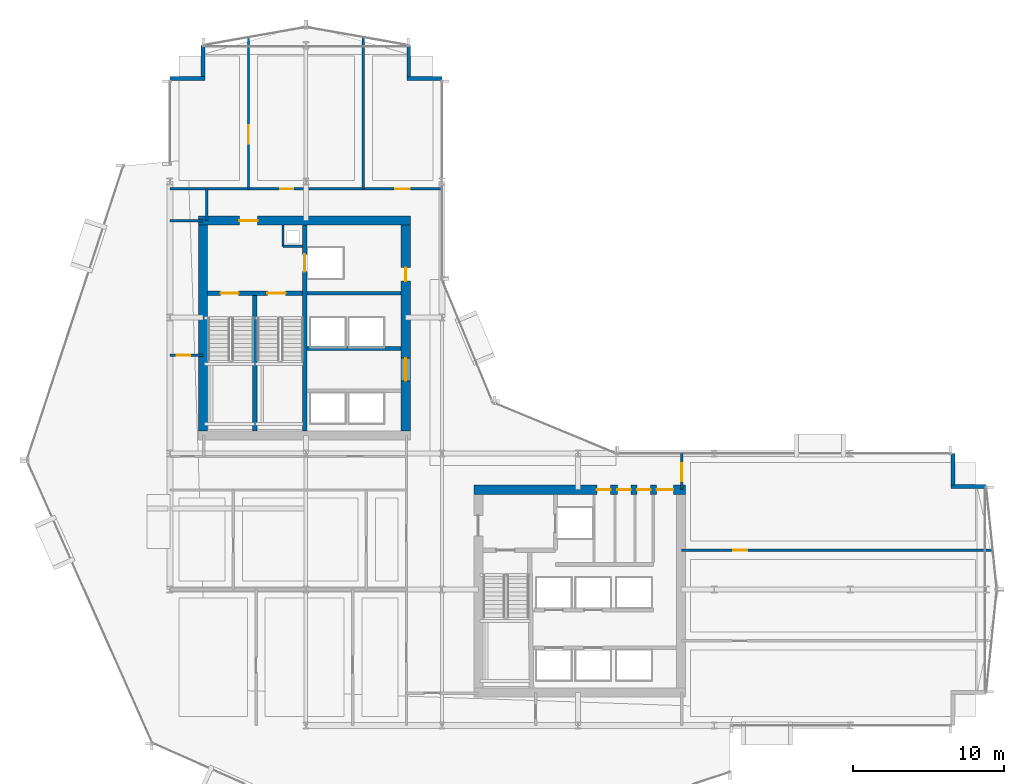
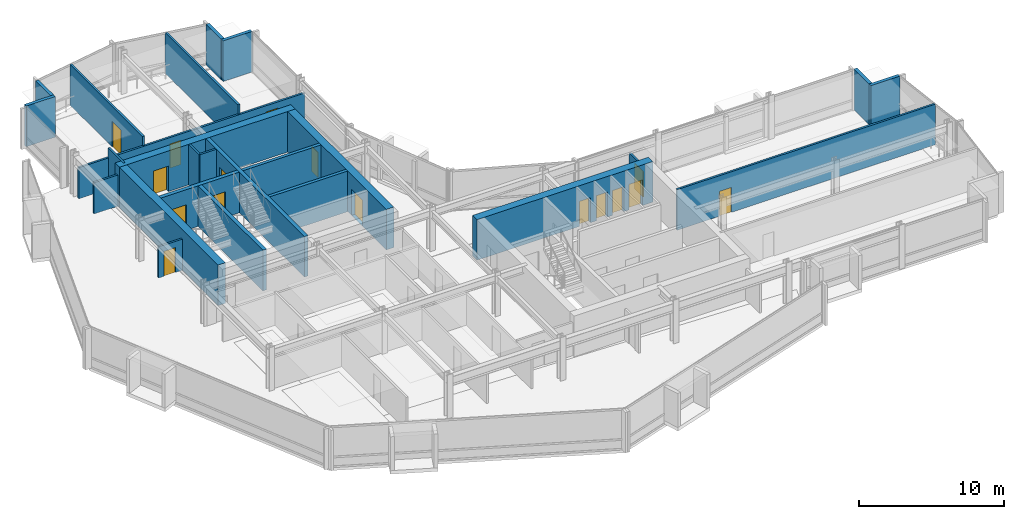
# One storey, part 28 of 34: 25 walls, 16 doors, 16 openings.
"""IFC4 building model written with IfcOpenShell, lengths in metres."""

from ifc_helpers import new_model, si_unit, direction, frame, frame_2d, origin, place, context, subcontext, project, spatial, rectangle, extrude, material, layer, layer_set, type_object, element, fill, save


model = new_model("IFC4")

# Units and contexts
model_context = context("Model", 3, precision=1e-05, world=origin(), true_north=direction((0.0, 1.0)))
body_context = subcontext(model_context, "Body", "Model", "MODEL_VIEW")
ifc_project = project(units=[si_unit("LENGTHUNIT", "METRE"), si_unit("AREAUNIT", "SQUARE_METRE"), si_unit("VOLUMEUNIT", "CUBIC_METRE"), si_unit("PLANEANGLEUNIT", "RADIAN"), si_unit("MASSUNIT", "GRAM", prefix="KILO")], contexts=[model_context])

# Site, building, storey
site_placement = place(None, origin())
site = spatial("IfcSite", under=ifc_project, at=site_placement, CompositionType="ELEMENT")
building_placement = place(site_placement, origin())
building = spatial("IfcBuilding", under=site, at=building_placement, Name="Solvaryn Broadcast Tower", CompositionType="ELEMENT")
storey_placement = place(building_placement, frame((0.0, 0.0, 73.0)))
storey = spatial("IfcBuildingStorey", under=building, at=storey_placement, Name="L17", CompositionType="ELEMENT", Elevation=73.0)

# Wall, opening, door
ifc_material_1 = material(Name="Concrete f'c 70 MPa", Category="concrete")
ifc_layer_1 = layer(ifc_material_1, 0.60009765625)
ifc_layer_set_1 = layer_set([ifc_layer_1], Name="CW-SHEAR-600")
wall_type_1 = type_object("IfcWallType", Name="CW-SHEAR-600", PredefinedType="SHEAR", material=ifc_layer_set_1)
wall_1_placement = place(storey_placement, frame((24.89990234375, 42.39990234375, 0.0), z_axis=(0.0, 0.0, 1.0), x_axis=(-1.0, 0.0, 0.0)))
wall_1 = element("IfcWall", 1, at=wall_1_placement, inside=storey, type_object=wall_type_1, Name="L17 West Core North Shear Wall", PredefinedType="SHEAR", context=body_context, shape_type="SweptSolid", body=[
    extrude(rectangle(XDim=14.0, YDim=0.60009765625, at=frame_2d((7.0, 0.0))), origin(), (0.0, 0.0, 1.0), 3.419921875),
])
opening_1_placement = place(wall_1_placement, frame((10.10009765625, 0.0, 0.0)))
opening_1 = element("IfcOpeningElement", 2, at=opening_1_placement, cuts=wall_1, Name="Opening FD90A", PredefinedType="OPENING", context=body_context, shape_type="SweptSolid", body=[
    extrude(rectangle(XDim=1.199951171875, YDim=2.14990234375, at=frame_2d((0.60009765625, 1.074951171875))), frame((0.0, 0.31005859375, 0.0), z_axis=(0.0, -1.0, 0.0), x_axis=(1.0, 0.0, 0.0)), (0.0, 0.0, 1.0), 0.6201171875),
])
ifc_material_2 = material(Name="Flush Acoustic Steel and Timber Door Assembly", Category="steel")
door_type_1 = type_object("IfcDoorType", Name="FD90-STAIR-1200X2150", OperationType="NOTDEFINED", PredefinedType="DOOR", material=ifc_material_2)
door_1_placement = place(opening_1_placement, origin())
door_1 = element("IfcDoor", 3, at=door_1_placement, inside=storey, type_object=door_type_1, Name="L17 West FSAE Lobby Corridor Door", OperationType="SINGLE_SWING_LEFT", OverallHeight=2.14990234375, OverallWidth=1.199951171875, PredefinedType="DOOR", context=body_context, shape_type="SweptSolid", body=[
    extrude(rectangle(XDim=1.199951171875, YDim=2.14990234375, at=frame_2d((0.60009765625, 1.074951171875))), frame((0.0, 0.02490234375, 0.0), z_axis=(0.0, -1.0, 0.0), x_axis=(1.0, 0.0, 0.0)), (0.0, 0.0, 1.0), 0.050048828125),
])
fill(opening_1, door_1)

# Wall
wall_2_placement = place(storey_placement, frame((11.199951171875, 42.10009765625, 0.0), z_axis=(0.0, 0.0, 1.0), x_axis=(0.0, -1.0, 0.0)))
element("IfcWall", 4, at=wall_2_placement, inside=storey, type_object=wall_type_1, Name="L17 West Core West Shear Wall", PredefinedType="SHEAR", context=body_context, shape_type="SweptSolid", body=[
    extrude(rectangle(XDim=13.60009765625, YDim=0.60009765625, at=frame_2d((6.800048828125, 0.0))), origin(), (0.0, 0.0, 1.0), 3.419921875),
])

# Wall, openings, doors
wall_3_placement = place(storey_placement, frame((24.60009765625, 28.5, 0.0), z_axis=(0.0, 0.0, 1.0), x_axis=(0.0, 1.0, 0.0)))
wall_3 = element("IfcWall", 5, at=wall_3_placement, inside=storey, type_object=wall_type_1, Name="L17 West Core East Shear Wall", PredefinedType="SHEAR", context=body_context, shape_type="SweptSolid", body=[
    extrude(rectangle(XDim=13.60009765625, YDim=0.60009765625, at=frame_2d((6.800048828125, 0.0))), origin(), (0.0, 0.0, 1.0), 3.419921875),
])
opening_2_placement = place(wall_3_placement, frame((3.300048828125, 0.0, 0.0)))
opening_2 = element("IfcOpeningElement", 6, at=opening_2_placement, cuts=wall_3, Name="Opening FD60A", PredefinedType="OPENING", context=body_context, shape_type="SweptSolid", body=[
    extrude(rectangle(XDim=1.5, YDim=2.199951171875, at=frame_2d((0.75, 1.10009765625))), frame((0.0, 0.31005859375, 0.0), z_axis=(0.0, -1.0, 0.0), x_axis=(1.0, 0.0, 0.0)), (0.0, 0.0, 1.0), 0.6201171875),
])
opening_3_placement = place(wall_3_placement, frame((9.89990234375, 0.0, 0.0)))
opening_3 = element("IfcOpeningElement", 7, at=opening_3_placement, cuts=wall_3, Name="Opening FD60C", PredefinedType="OPENING", context=body_context, shape_type="SweptSolid", body=[
    extrude(rectangle(XDim=0.89990234375, YDim=2.10009765625, at=frame_2d((0.449951171875, 1.050048828125))), frame((0.0, 0.31005859375, 0.0), z_axis=(0.0, -1.0, 0.0), x_axis=(1.0, 0.0, 0.0)), (0.0, 0.0, 1.0), 0.6201171875),
])
ifc_material_3 = material(Name="Flush Acoustic Steel and Timber Door Assembly", Category="steel")
door_type_2 = type_object("IfcDoorType", Name="FD60-CORR-1500X2200", OperationType="NOTDEFINED", PredefinedType="DOOR", material=ifc_material_3)
door_2_placement = place(opening_2_placement, origin())
door_2 = element("IfcDoor", 8, at=door_2_placement, inside=storey, type_object=door_type_2, Name="L17 West Elevator Lobby Corridor Door", OperationType="DOUBLE_DOOR_SINGLE_SWING", OverallHeight=2.199951171875, OverallWidth=1.5, PredefinedType="DOOR", context=body_context, shape_type="SweptSolid", body=[
    extrude(rectangle(XDim=1.5, YDim=2.199951171875, at=frame_2d((0.75, 1.10009765625))), frame((0.0, 0.02490234375, 0.0), z_axis=(0.0, -1.0, 0.0), x_axis=(1.0, 0.0, 0.0)), (0.0, 0.0, 1.0), 0.050048828125),
])
fill(opening_2, door_2)
ifc_material_4 = material(Name="Flush Acoustic Steel and Timber Door Assembly", Category="steel")
door_type_3 = type_object("IfcDoorType", Name="FD60-SERV-900X2100", OperationType="NOTDEFINED", PredefinedType="DOOR", material=ifc_material_4)
door_3_placement = place(opening_3_placement, origin())
door_3 = element("IfcDoor", 9, at=door_3_placement, inside=storey, type_object=door_type_3, Name="L17 West Core Service Door 1", OperationType="SINGLE_SWING_LEFT", OverallHeight=2.10009765625, OverallWidth=0.89990234375, PredefinedType="DOOR", context=body_context, shape_type="SweptSolid", body=[
    extrude(rectangle(XDim=0.89990234375, YDim=2.10009765625, at=frame_2d((0.449951171875, 1.050048828125))), frame((0.0, 0.02490234375, 0.0), z_axis=(0.0, -1.0, 0.0), x_axis=(1.0, 0.0, 0.0)), (0.0, 0.0, 1.0), 0.050048828125),
])
fill(opening_3, door_3)

wall_4_placement = place(storey_placement, frame((43.10009765625, 24.60009765625, 0.0), z_axis=(0.0, 0.0, 1.0), x_axis=(-1.0, 0.0, 0.0)))
wall_4 = element("IfcWall", 10, at=wall_4_placement, inside=storey, type_object=wall_type_1, Name="L17 East Core North Shear Wall", PredefinedType="SHEAR", context=body_context, shape_type="SweptSolid", body=[
    extrude(rectangle(XDim=14.0, YDim=0.60009765625, at=frame_2d((7.0, 0.0))), origin(), (0.0, 0.0, 1.0), 3.419921875),
])
opening_4_placement = place(wall_4_placement, frame((0.800048828125, 0.0, 0.0)))
opening_4 = element("IfcOpeningElement", 11, at=opening_4_placement, cuts=wall_4, Name="Opening FD90C", PredefinedType="OPENING", context=body_context, shape_type="SweptSolid", body=[
    extrude(rectangle(XDim=1.10009765625, YDim=2.14990234375, at=frame_2d((0.550048828125, 1.074951171875))), frame((0.0, 0.31005859375, 0.0), z_axis=(0.0, -1.0, 0.0), x_axis=(1.0, 0.0, 0.0)), (0.0, 0.0, 1.0), 0.6201171875),
])
opening_5_placement = place(wall_4_placement, frame((2.300048828125, 0.0, 0.0)))
opening_5 = element("IfcOpeningElement", 12, at=opening_5_placement, cuts=wall_4, Name="Opening FD60C", PredefinedType="OPENING", context=body_context, shape_type="SweptSolid", body=[
    extrude(rectangle(XDim=0.89990234375, YDim=2.10009765625, at=frame_2d((0.449951171875, 1.050048828125))), frame((0.0, 0.31005859375, 0.0), z_axis=(0.0, -1.0, 0.0), x_axis=(1.0, 0.0, 0.0)), (0.0, 0.0, 1.0), 0.6201171875),
])
opening_6_placement = place(wall_4_placement, frame((3.60009765625, 0.0, 0.0)))
opening_6 = element("IfcOpeningElement", 13, at=opening_6_placement, cuts=wall_4, Name="Opening FD60C", PredefinedType="OPENING", context=body_context, shape_type="SweptSolid", body=[
    extrude(rectangle(XDim=0.89990234375, YDim=2.10009765625, at=frame_2d((0.449951171875, 1.050048828125))), frame((0.0, 0.31005859375, 0.0), z_axis=(0.0, -1.0, 0.0), x_axis=(1.0, 0.0, 0.0)), (0.0, 0.0, 1.0), 0.6201171875),
])
opening_7_placement = place(wall_4_placement, frame((4.949951171875, 0.0, 0.0)))
opening_7 = element("IfcOpeningElement", 14, at=opening_7_placement, cuts=wall_4, Name="Opening FD60C", PredefinedType="OPENING", context=body_context, shape_type="SweptSolid", body=[
    extrude(rectangle(XDim=0.89990234375, YDim=2.10009765625, at=frame_2d((0.449951171875, 1.050048828125))), frame((0.0, 0.31005859375, 0.0), z_axis=(0.0, -1.0, 0.0), x_axis=(1.0, 0.0, 0.0)), (0.0, 0.0, 1.0), 0.6201171875),
])
door_4_placement = place(opening_5_placement, origin())
door_4 = element("IfcDoor", 15, at=door_4_placement, inside=storey, type_object=door_type_3, Name="L17 Core Wellness Room Door", OperationType="SINGLE_SWING_RIGHT", OverallHeight=2.10009765625, OverallWidth=0.89990234375, PredefinedType="DOOR", context=body_context, shape_type="SweptSolid", body=[
    extrude(rectangle(XDim=0.89990234375, YDim=2.10009765625, at=frame_2d((0.449951171875, 1.050048828125))), frame((0.0, 0.02490234375, 0.0), z_axis=(0.0, -1.0, 0.0), x_axis=(1.0, 0.0, 0.0)), (0.0, 0.0, 1.0), 0.050048828125),
])
fill(opening_5, door_4)
door_5_placement = place(opening_6_placement, origin())
door_5 = element("IfcDoor", 16, at=door_5_placement, inside=storey, type_object=door_type_3, Name="L17 Staff Restroom Door", OperationType="SINGLE_SWING_LEFT", OverallHeight=2.10009765625, OverallWidth=0.89990234375, PredefinedType="DOOR", context=body_context, shape_type="SweptSolid", body=[
    extrude(rectangle(XDim=0.89990234375, YDim=2.10009765625, at=frame_2d((0.449951171875, 1.050048828125))), frame((0.0, 0.02490234375, 0.0), z_axis=(0.0, -1.0, 0.0), x_axis=(1.0, 0.0, 0.0)), (0.0, 0.0, 1.0), 0.050048828125),
])
fill(opening_6, door_5)
door_6_placement = place(opening_7_placement, origin())
door_6 = element("IfcDoor", 17, at=door_6_placement, inside=storey, type_object=door_type_3, Name="L17 Accessible WC Door", OperationType="SINGLE_SWING_RIGHT", OverallHeight=2.10009765625, OverallWidth=0.89990234375, PredefinedType="DOOR", context=body_context, shape_type="SweptSolid", body=[
    extrude(rectangle(XDim=0.89990234375, YDim=2.10009765625, at=frame_2d((0.449951171875, 1.050048828125))), frame((0.0, 0.02490234375, 0.0), z_axis=(0.0, -1.0, 0.0), x_axis=(1.0, 0.0, 0.0)), (0.0, 0.0, 1.0), 0.050048828125),
])
fill(opening_7, door_6)
ifc_material_5 = material(Name="Flush Acoustic Steel and Timber Door Assembly", Category="steel")
door_type_4 = type_object("IfcDoorType", Name="FD90-PLANT-1100X2150", OperationType="NOTDEFINED", PredefinedType="DOOR", material=ifc_material_5)
door_7_placement = place(opening_4_placement, origin())
door_7 = element("IfcDoor", 18, at=door_7_placement, inside=storey, type_object=door_type_4, Name="L17 East Core Lobby Corridor Door", OperationType="SINGLE_SWING_LEFT", OverallHeight=2.14990234375, OverallWidth=1.10009765625, PredefinedType="DOOR", context=body_context, shape_type="SweptSolid", body=[
    extrude(rectangle(XDim=1.10009765625, YDim=2.14990234375, at=frame_2d((0.550048828125, 1.074951171875))), frame((0.0, 0.02490234375, 0.0), z_axis=(0.0, -1.0, 0.0), x_axis=(1.0, 0.0, 0.0)), (0.0, 0.0, 1.0), 0.050048828125),
])
fill(opening_4, door_7)

# Walls
ifc_material_6 = material(Name="Concrete f'c 50 MPa", Category="concrete")
ifc_layer_2 = layer(ifc_material_6, 0.260009765625)
ifc_layer_set_2 = layer_set([ifc_layer_2], Name="EW-PIER-260")
wall_type_2 = type_object("IfcWallType", Name="EW-PIER-260", PredefinedType="SOLIDWALL", material=ifc_layer_set_2)
wall_5_placement = place(storey_placement, frame((9.0, 51.800048828125, 0.0), z_axis=(0.0, 0.0, 1.0), x_axis=(1.0, 0.0, 0.0)))
element("IfcWall", 19, at=wall_5_placement, inside=storey, type_object=wall_type_2, Name="L17 Notched Corner Pier Wall NNW1", PredefinedType="SOLIDWALL", context=body_context, shape_type="SweptSolid", body=[
    extrude(rectangle(XDim=2.320068359375, YDim=0.260009765625, at=frame_2d((1.16015625, 0.0))), origin(), (0.0, 0.0, 1.0), 3.419921875),
])
for number, where, z_axis, x_axis, name in (
    (20, (11.199951171875, 51.919921875, 0.0), (0.0, 0.0, 1.0), (0.0, 1.0, 0.0), "L17 Notched Corner Pier Wall NNW2"),
    (21, (24.800048828125, 54.0, 0.0), (0.0, 0.0, 1.0), (0.0, -1.0, 0.0), "L17 Notched Corner Pier Wall NNE1"),
):
    element("IfcWall", number, at=place(storey_placement, frame(where, z_axis=z_axis, x_axis=x_axis)), inside=storey, type_object=wall_type_2, Name=name, PredefinedType="SOLIDWALL", context=body_context, shape_type="SweptSolid", body=[
        extrude(rectangle(XDim=2.080078125, YDim=0.260009765625, at=frame_2d((1.0400390625, 0.0))), origin(), (0.0, 0.0, 1.0), 3.419921875),
    ])
for number, where, z_axis, x_axis, name in (
    (22, (24.679931640625, 51.800048828125, 0.0), (0.0, 0.0, 1.0), (1.0, 0.0, 0.0), "L17 Notched Corner Pier Wall NNE2"),
    (23, (63.0, 24.800048828125, 0.0), (0.0, 0.0, 1.0), (-1.0, 0.0, 0.0), "L17 Notched Corner Pier Wall NEE1"),
):
    element("IfcWall", number, at=place(storey_placement, frame(where, z_axis=z_axis, x_axis=x_axis)), inside=storey, type_object=wall_type_2, Name=name, PredefinedType="SOLIDWALL", context=body_context, shape_type="SweptSolid", body=[
        extrude(rectangle(XDim=2.320068359375, YDim=0.260009765625, at=frame_2d((1.16015625, 0.0))), origin(), (0.0, 0.0, 1.0), 3.419921875),
    ])
wall_6_placement = place(storey_placement, frame((60.800048828125, 24.919921875, 0.0), z_axis=(0.0, 0.0, 1.0), x_axis=(0.0, 1.0, 0.0)))
element("IfcWall", 24, at=wall_6_placement, inside=storey, type_object=wall_type_2, Name="L17 Notched Corner Pier Wall NEE2", PredefinedType="SOLIDWALL", context=body_context, shape_type="SweptSolid", body=[
    extrude(rectangle(XDim=2.080078125, YDim=0.260009765625, at=frame_2d((1.0400390625, 0.0))), origin(), (0.0, 0.0, 1.0), 3.419921875),
])
ifc_material_7 = material(Name="Metal-Stud Service Core Partition")
ifc_layer_3 = layer(ifc_material_7, 0.14990234375)
ifc_layer_set_3 = layer_set([ifc_layer_3], Name="IW-PART-150")
wall_type_3 = type_object("IfcWallType", Name="IW-PART-150", PredefinedType="PARTITIONING", material=ifc_layer_set_3)
wall_7_placement = place(storey_placement, frame((16.47998046875, 40.699951171875, 0.0), z_axis=(0.0, 0.0, 1.0), x_axis=(1.0, 0.0, 0.0)))
element("IfcWall", 25, at=wall_7_placement, inside=storey, type_object=wall_type_3, Name="L17 West Core Riser Shaft South Wall", PredefinedType="PARTITIONING", context=body_context, shape_type="SweptSolid", body=[
    extrude(rectangle(XDim=1.2900390625, YDim=0.14990234375, at=frame_2d((0.64501953125, 0.0))), origin(), (0.0, 0.0, 1.0), 3.419921875),
])
wall_8_placement = place(storey_placement, frame((16.47998046875, 40.699951171875, 0.0), z_axis=(0.0, 0.0, 1.0), x_axis=(0.0, 1.0, 0.0)))
element("IfcWall", 26, at=wall_8_placement, inside=storey, type_object=wall_type_3, Name="L17 West Core Riser Shaft West Wall", PredefinedType="PARTITIONING", context=body_context, shape_type="SweptSolid", body=[
    extrude(rectangle(XDim=1.400146484375, YDim=0.14990234375, at=frame_2d((0.7001953125, 0.0))), origin(), (0.0, 0.0, 1.0), 3.419921875),
])

# Wall, opening, door
wall_9_placement = place(storey_placement, frame((9.0, 33.5, 0.0), z_axis=(0.0, 0.0, 1.0), x_axis=(1.0, 0.0, 0.0)))
wall_9 = element("IfcWall", 27, at=wall_9_placement, inside=storey, type_object=wall_type_3, Name="L17 Interior Partition IW-L17-WM-M", PredefinedType="PARTITIONING", context=body_context, shape_type="SweptSolid", body=[
    extrude(rectangle(XDim=2.199951171875, YDim=0.14990234375, at=frame_2d((1.10009765625, 0.0))), origin(), (0.0, 0.0, 1.0), 2.626953125),
])
opening_8_placement = place(wall_9_placement, frame((0.449951171875, 0.0, 0.0)))
opening_8 = element("IfcOpeningElement", 28, at=opening_8_placement, cuts=wall_9, Name="Opening FD60C", PredefinedType="OPENING", context=body_context, shape_type="SweptSolid", body=[
    extrude(rectangle(XDim=0.89990234375, YDim=2.10009765625, at=frame_2d((0.449951171875, 1.050048828125))), frame((0.0, 0.0849609375, 0.0), z_axis=(0.0, -1.0, 0.0), x_axis=(1.0, 0.0, 0.0)), (0.0, 0.0, 1.0), 0.169921875),
])
door_8_placement = place(opening_8_placement, origin())
door_8 = element("IfcDoor", 29, at=door_8_placement, inside=storey, type_object=door_type_3, Name="L17 Door DR-L17-WM1", OperationType="SINGLE_SWING_RIGHT", OverallHeight=2.10009765625, OverallWidth=0.89990234375, PredefinedType="DOOR", context=body_context, shape_type="SweptSolid", body=[
    extrude(rectangle(XDim=0.89990234375, YDim=2.10009765625, at=frame_2d((0.449951171875, 1.050048828125))), frame((0.0, 0.02490234375, 0.0), z_axis=(0.0, -1.0, 0.0), x_axis=(1.0, 0.0, 0.0)), (0.0, 0.0, 1.0), 0.050048828125),
])
fill(opening_8, door_8)

# Walls
ifc_material_8 = material(Name="Metal-Stud Gypsum Office Partition")
ifc_layer_4 = layer(ifc_material_8, 0.159912109375)
ifc_layer_set_4 = layer_set([ifc_layer_4], Name="IW-PART-160")
wall_type_4 = type_object("IfcWallType", Name="IW-PART-160", PredefinedType="PARTITIONING", material=ifc_layer_set_4)
wall_10_placement = place(storey_placement, frame((9.0, 42.39990234375, 0.0), z_axis=(0.0, 0.0, 1.0), x_axis=(1.0, 0.0, 0.0)))
element("IfcWall", 30, at=wall_10_placement, inside=storey, type_object=wall_type_4, Name="L17 Interior Partition IW-L17-WM-N", PredefinedType="PARTITIONING", context=body_context, shape_type="SweptSolid", body=[
    extrude(rectangle(XDim=2.199951171875, YDim=0.159912109375, at=frame_2d((1.10009765625, 0.0))), origin(), (0.0, 0.0, 1.0), 2.626953125),
])
wall_11_placement = place(storey_placement, frame((11.449951171875, 42.39990234375, 0.0), z_axis=(0.0, 0.0, 1.0), x_axis=(0.0, 1.0, 0.0)))
element("IfcWall", 31, at=wall_11_placement, inside=storey, type_object=wall_type_4, Name="L17 Interior Partition IW-L17-WM-E", PredefinedType="PARTITIONING", context=body_context, shape_type="SweptSolid", body=[
    extrude(rectangle(XDim=2.10009765625, YDim=0.159912109375, at=frame_2d((1.050048828125, 0.0))), origin(), (0.0, 0.0, 1.0), 3.419921875),
])

# Wall, openings, doors
wall_12_placement = place(storey_placement, frame((9.0, 44.5, 0.0), z_axis=(0.0, 0.0, 1.0), x_axis=(1.0, 0.0, 0.0)))
wall_12 = element("IfcWall", 32, at=wall_12_placement, inside=storey, type_object=wall_type_4, Name="L17 Interior Partition IW-L17-NW-SB", PredefinedType="PARTITIONING", context=body_context, shape_type="SweptSolid", body=[
    extrude(rectangle(XDim=18.0, YDim=0.159912109375, at=frame_2d((9.0, 0.0))), origin(), (0.0, 0.0, 1.0), 2.626953125),
])
opening_9_placement = place(wall_12_placement, frame((7.300048828125, 0.0, 0.0)))
opening_9 = element("IfcOpeningElement", 33, at=opening_9_placement, cuts=wall_12, Name="Opening ID07", PredefinedType="OPENING", context=body_context, shape_type="SweptSolid", body=[
    extrude(rectangle(XDim=0.860107421875, YDim=2.050048828125, at=frame_2d((0.43017578125, 1.02490234375))), frame((0.0, 0.090087890625, 0.0), z_axis=(0.0, -1.0, 0.0), x_axis=(1.0, 0.0, 0.0)), (0.0, 0.0, 1.0), 0.179931640625),
])
opening_10_placement = place(wall_12_placement, frame((14.89990234375, 0.0, 0.0)))
opening_10 = element("IfcOpeningElement", 34, at=opening_10_placement, cuts=wall_12, Name="Opening ID01", PredefinedType="OPENING", context=body_context, shape_type="SweptSolid", body=[
    extrude(rectangle(XDim=0.949951171875, YDim=2.10009765625, at=frame_2d((0.47509765625, 1.050048828125))), frame((0.0, 0.090087890625, 0.0), z_axis=(0.0, -1.0, 0.0), x_axis=(1.0, 0.0, 0.0)), (0.0, 0.0, 1.0), 0.179931640625),
])
ifc_material_9 = material(Name="Flush Acoustic Steel and Timber Door Assembly", Category="steel")
door_type_5 = type_object("IfcDoorType", Name="ID-01-950X2100", OperationType="NOTDEFINED", PredefinedType="DOOR", material=ifc_material_9)
door_9_placement = place(opening_10_placement, origin())
door_9 = element("IfcDoor", 35, at=door_9_placement, inside=storey, type_object=door_type_5, Name="L17 Door DR-L17-NW-3", OperationType="SINGLE_SWING_RIGHT", OverallHeight=2.10009765625, OverallWidth=0.949951171875, PredefinedType="DOOR", context=body_context, shape_type="SweptSolid", body=[
    extrude(rectangle(XDim=0.949951171875, YDim=2.10009765625, at=frame_2d((0.47509765625, 1.050048828125))), frame((0.0, 0.02490234375, 0.0), z_axis=(0.0, -1.0, 0.0), x_axis=(1.0, 0.0, 0.0)), (0.0, 0.0, 1.0), 0.050048828125),
])
fill(opening_10, door_9)
ifc_material_10 = material(Name="Flush Acoustic Steel and Timber Door Assembly", Category="steel")
door_type_6 = type_object("IfcDoorType", Name="ID-07-860X2050", OperationType="NOTDEFINED", PredefinedType="DOOR", material=ifc_material_10)
door_10_placement = place(opening_9_placement, origin())
door_10 = element("IfcDoor", 36, at=door_10_placement, inside=storey, type_object=door_type_6, Name="L17 Door DR-L17-NW-2", OperationType="SINGLE_SWING_LEFT", OverallHeight=2.050048828125, OverallWidth=0.860107421875, PredefinedType="DOOR", context=body_context, shape_type="SweptSolid", body=[
    extrude(rectangle(XDim=0.860107421875, YDim=2.050048828125, at=frame_2d((0.43017578125, 1.02490234375))), frame((0.0, 0.02490234375, 0.0), z_axis=(0.0, -1.0, 0.0), x_axis=(1.0, 0.0, 0.0)), (0.0, 0.0, 1.0), 0.050048828125),
])
fill(opening_9, door_10)

# Wall, opening, door
wall_13_placement = place(storey_placement, frame((14.199951171875, 44.5, 0.0), z_axis=(0.0, 0.0, 1.0), x_axis=(0.0, 1.0, 0.0)))
wall_13 = element("IfcWall", 37, at=wall_13_placement, inside=storey, type_object=wall_type_4, Name="L17 Interior Partition IW-L17-NW-V1", PredefinedType="PARTITIONING", context=body_context, shape_type="SweptSolid", body=[
    extrude(rectangle(XDim=10.029052734375, YDim=0.159912109375, at=frame_2d((5.0146484375, 0.0))), origin(), (0.0, 0.0, 1.0), 3.419921875),
])
opening_11_placement = place(wall_13_placement, frame((3.0, 0.0, 0.0)))
opening_11 = element("IfcOpeningElement", 38, at=opening_11_placement, cuts=wall_13, Name="Opening ID04", PredefinedType="OPENING", context=body_context, shape_type="SweptSolid", body=[
    extrude(rectangle(XDim=1.199951171875, YDim=2.14990234375, at=frame_2d((0.60009765625, 1.074951171875))), frame((0.0, 0.090087890625, 0.0), z_axis=(0.0, -1.0, 0.0), x_axis=(1.0, 0.0, 0.0)), (0.0, 0.0, 1.0), 0.179931640625),
])
ifc_material_11 = material(Name="Flush Acoustic Steel and Timber Door Assembly", Category="steel")
door_type_7 = type_object("IfcDoorType", Name="ID-04-1200X2150", OperationType="NOTDEFINED", PredefinedType="DOOR", material=ifc_material_11)
door_11_placement = place(opening_11_placement, origin())
door_11 = element("IfcDoor", 39, at=door_11_placement, inside=storey, type_object=door_type_7, Name="L17 Door DR-L17-NW-C1", OperationType="SINGLE_SWING_RIGHT", OverallHeight=2.14990234375, OverallWidth=1.199951171875, PredefinedType="DOOR", context=body_context, shape_type="SweptSolid", body=[
    extrude(rectangle(XDim=1.199951171875, YDim=2.14990234375, at=frame_2d((0.60009765625, 1.074951171875))), frame((0.0, 0.02490234375, 0.0), z_axis=(0.0, -1.0, 0.0), x_axis=(1.0, 0.0, 0.0)), (0.0, 0.0, 1.0), 0.050048828125),
])
fill(opening_11, door_11)

# Wall
wall_14_placement = place(storey_placement, frame((21.800048828125, 44.5, 0.0), z_axis=(0.0, 0.0, 1.0), x_axis=(0.0, 1.0, 0.0)))
element("IfcWall", 40, at=wall_14_placement, inside=storey, type_object=wall_type_4, Name="L17 Interior Partition IW-L17-NW-V2", PredefinedType="PARTITIONING", context=body_context, shape_type="SweptSolid", body=[
    extrude(rectangle(XDim=10.029052734375, YDim=0.159912109375, at=frame_2d((5.0146484375, 0.0))), origin(), (0.0, 0.0, 1.0), 3.419921875),
])

# Wall, opening, door
wall_15_placement = place(storey_placement, frame((42.85009765625, 24.60009765625, 0.0), z_axis=(0.0, 0.0, 1.0), x_axis=(0.0, 1.0, 0.0)))
wall_15 = element("IfcWall", 41, at=wall_15_placement, inside=storey, type_object=wall_type_4, Name="L17 Interior Partition IW-L17-EW-BN", PredefinedType="PARTITIONING", context=body_context, shape_type="SweptSolid", body=[
    extrude(rectangle(XDim=2.39990234375, YDim=0.159912109375, at=frame_2d((1.199951171875, 0.0))), origin(), (0.0, 0.0, 1.0), 2.626953125),
])
opening_12_placement = place(wall_15_placement, frame((0.550048828125, 0.0, 0.0)))
opening_12 = element("IfcOpeningElement", 42, at=opening_12_placement, cuts=wall_15, Name="Opening ID04", PredefinedType="OPENING", context=body_context, shape_type="SweptSolid", body=[
    extrude(rectangle(XDim=1.199951171875, YDim=2.14990234375, at=frame_2d((0.60009765625, 1.074951171875))), frame((0.0, 0.090087890625, 0.0), z_axis=(0.0, -1.0, 0.0), x_axis=(1.0, 0.0, 0.0)), (0.0, 0.0, 1.0), 0.179931640625),
])
door_12_placement = place(opening_12_placement, origin())
door_12 = element("IfcDoor", 43, at=door_12_placement, inside=storey, type_object=door_type_7, Name="L17 Door DR-L17-EW0", OperationType="SINGLE_SWING_LEFT", OverallHeight=2.14990234375, OverallWidth=1.199951171875, PredefinedType="DOOR", context=body_context, shape_type="SweptSolid", body=[
    extrude(rectangle(XDim=1.199951171875, YDim=2.14990234375, at=frame_2d((0.60009765625, 1.074951171875))), frame((0.0, 0.02490234375, 0.0), z_axis=(0.0, -1.0, 0.0), x_axis=(1.0, 0.0, 0.0)), (0.0, 0.0, 1.0), 0.050048828125),
])
fill(opening_12, door_12)

wall_16_placement = place(storey_placement, frame((42.85009765625, 20.60009765625, 0.0), z_axis=(0.0, 0.0, 1.0), x_axis=(1.0, 0.0, 0.0)))
wall_16 = element("IfcWall", 44, at=wall_16_placement, inside=storey, type_object=wall_type_4, Name="L17 Interior Partition IW-L17-EW-H2", PredefinedType="PARTITIONING", context=body_context, shape_type="SweptSolid", body=[
    extrude(rectangle(XDim=20.581787109375, YDim=0.159912109375, at=frame_2d((10.291015625, 0.0))), origin(), (0.0, 0.0, 1.0), 3.419921875),
])
opening_13_placement = place(wall_16_placement, frame((3.39990234375, 0.0, 0.0)))
opening_13 = element("IfcOpeningElement", 45, at=opening_13_placement, cuts=wall_16, Name="Opening ID01", PredefinedType="OPENING", context=body_context, shape_type="SweptSolid", body=[
    extrude(rectangle(XDim=0.949951171875, YDim=2.10009765625, at=frame_2d((0.47509765625, 1.050048828125))), frame((0.0, 0.090087890625, 0.0), z_axis=(0.0, -1.0, 0.0), x_axis=(1.0, 0.0, 0.0)), (0.0, 0.0, 1.0), 0.179931640625),
])
door_13_placement = place(opening_13_placement, origin())
door_13 = element("IfcDoor", 46, at=door_13_placement, inside=storey, type_object=door_type_5, Name="L17 Door DR-L17-EW-2", OperationType="SINGLE_SWING_LEFT", OverallHeight=2.10009765625, OverallWidth=0.949951171875, PredefinedType="DOOR", context=body_context, shape_type="SweptSolid", body=[
    extrude(rectangle(XDim=0.949951171875, YDim=2.10009765625, at=frame_2d((0.47509765625, 1.050048828125))), frame((0.0, 0.02490234375, 0.0), z_axis=(0.0, -1.0, 0.0), x_axis=(1.0, 0.0, 0.0)), (0.0, 0.0, 1.0), 0.050048828125),
])
fill(opening_13, door_13)

# Walls
ifc_material_12 = material(Name="Concrete f'c 60 MPa", Category="concrete")
ifc_layer_5 = layer(ifc_material_12, 0.25)
ifc_layer_set_5 = layer_set([ifc_layer_5], Name="SW-SHAFT-250")
wall_type_5 = type_object("IfcWallType", Name="SW-SHAFT-250", PredefinedType="PARTITIONING", material=ifc_layer_set_5)
for number, where, z_axis, x_axis, name in (
    (47, (18.070068359375, 37.60009765625, 0.0), (0.0, 0.0, 1.0), (1.0, 0.0, 0.0), "L17 West Core FSAE Hoistway Front Wall"),
    (48, (24.300048828125, 33.949951171875, 0.0), (0.0, 0.0, 1.0), (-1.0, 0.0, 0.0), "L17 High-Rise Lift Bank North Wall"),
):
    element("IfcWall", number, at=place(storey_placement, frame(where, z_axis=z_axis, x_axis=x_axis)), inside=storey, type_object=wall_type_5, Name=name, PredefinedType="PARTITIONING", context=body_context, shape_type="SweptSolid", body=[
        extrude(rectangle(XDim=6.22998046875, YDim=0.25, at=frame_2d((3.114990234375, 0.0))), origin(), (0.0, 0.0, 1.0), 3.419921875),
    ])
ifc_material_13 = material(Name="Concrete f'c 70 MPa", Category="concrete")
ifc_layer_6 = layer(ifc_material_13, 0.300048828125)
ifc_layer_set_6 = layer_set([ifc_layer_6], Name="SW-SHAFT-300")
wall_type_6 = type_object("IfcWallType", Name="SW-SHAFT-300", PredefinedType="SHEAR", material=ifc_layer_set_6)
wall_17_placement = place(storey_placement, frame((14.6201171875, 28.5, 0.0), z_axis=(0.0, 0.0, 1.0), x_axis=(0.0, 1.0, 0.0)))
element("IfcWall", 49, at=wall_17_placement, inside=storey, type_object=wall_type_6, Name="L17 Stair 1-2 Dividing Wall", PredefinedType="SHEAR", context=body_context, shape_type="SweptSolid", body=[
    extrude(rectangle(XDim=8.949951171875, YDim=0.300048828125, at=frame_2d((4.47509765625, 0.0))), origin(), (0.0, 0.0, 1.0), 3.419921875),
])

# Wall, opening, door
wall_18_placement = place(storey_placement, frame((17.919921875, 42.10009765625, 0.0), z_axis=(0.0, 0.0, 1.0), x_axis=(0.0, -1.0, 0.0)))
wall_18 = element("IfcWall", 50, at=wall_18_placement, inside=storey, type_object=wall_type_6, Name="L17 West Core Stair-Lobby Shear Wall", PredefinedType="SHEAR", context=body_context, shape_type="SweptSolid", body=[
    extrude(rectangle(XDim=13.60009765625, YDim=0.300048828125, at=frame_2d((6.800048828125, 0.0))), origin(), (0.0, 0.0, 1.0), 3.419921875),
])
opening_14_placement = place(wall_18_placement, frame((1.925048828125, 0.0, 0.0)))
opening_14 = element("IfcOpeningElement", 51, at=opening_14_placement, cuts=wall_18, Name="Opening LD01", PredefinedType="OPENING", context=body_context, shape_type="SweptSolid", body=[
    extrude(rectangle(XDim=1.14990234375, YDim=2.14990234375, at=frame_2d((0.574951171875, 1.074951171875))), frame((0.0, 0.159912109375, 0.0), z_axis=(0.0, -1.0, 0.0), x_axis=(1.0, 0.0, 0.0)), (0.0, 0.0, 1.0), 0.320068359375),
])
ifc_material_14 = material(Name="Flush Acoustic Steel and Timber Door Assembly", Category="steel")
door_type_8 = type_object("IfcDoorType", Name="LD-LIFT-1150X2150", OperationType="NOTDEFINED", PredefinedType="DOOR", material=ifc_material_14)
door_14_placement = place(opening_14_placement, origin())
door_14 = element("IfcDoor", 52, at=door_14_placement, inside=storey, type_object=door_type_8, Name="L17 FL1 Lift Landing Door", OperationType="DOUBLE_DOOR_SLIDING", OverallHeight=2.14990234375, OverallWidth=1.14990234375, PredefinedType="DOOR", context=body_context, shape_type="SweptSolid", body=[
    extrude(rectangle(XDim=1.14990234375, YDim=2.14990234375, at=frame_2d((0.574951171875, 1.074951171875))), frame((0.0, 0.02490234375, 0.0), z_axis=(0.0, -1.0, 0.0), x_axis=(1.0, 0.0, 0.0)), (0.0, 0.0, 1.0), 0.050048828125),
])
fill(opening_14, door_14)

# Wall, openings, doors
wall_19_placement = place(storey_placement, frame((17.77001953125, 37.60009765625, 0.0), z_axis=(0.0, 0.0, 1.0), x_axis=(-1.0, 0.0, 0.0)))
wall_19 = element("IfcWall", 53, at=wall_19_placement, inside=storey, type_object=wall_type_6, Name="L17 West Core FSAE Lobby South Wall", PredefinedType="SHEAR", context=body_context, shape_type="SweptSolid", body=[
    extrude(rectangle(XDim=6.27001953125, YDim=0.300048828125, at=frame_2d((3.135009765625, 0.0))), origin(), (0.0, 0.0, 1.0), 3.419921875),
])
opening_15_placement = place(wall_19_placement, frame((4.219970703125, 0.0, 0.0)))
opening_15 = element("IfcOpeningElement", 54, at=opening_15_placement, cuts=wall_19, Name="Opening FD90A", PredefinedType="OPENING", context=body_context, shape_type="SweptSolid", body=[
    extrude(rectangle(XDim=1.199951171875, YDim=2.14990234375, at=frame_2d((0.60009765625, 1.074951171875))), frame((0.0, 0.159912109375, 0.0), z_axis=(0.0, -1.0, 0.0), x_axis=(1.0, 0.0, 0.0)), (0.0, 0.0, 1.0), 0.320068359375),
])
opening_16_placement = place(wall_19_placement, frame((1.1201171875, 0.0, 0.0)))
opening_16 = element("IfcOpeningElement", 55, at=opening_16_placement, cuts=wall_19, Name="Opening FD90A", PredefinedType="OPENING", context=body_context, shape_type="SweptSolid", body=[
    extrude(rectangle(XDim=1.199951171875, YDim=2.14990234375, at=frame_2d((0.60009765625, 1.074951171875))), frame((0.0, 0.159912109375, 0.0), z_axis=(0.0, -1.0, 0.0), x_axis=(1.0, 0.0, 0.0)), (0.0, 0.0, 1.0), 0.320068359375),
])
door_15_placement = place(opening_15_placement, origin())
door_15 = element("IfcDoor", 56, at=door_15_placement, inside=storey, type_object=door_type_1, Name="L17 Stair 1 Fire Door", OperationType="SINGLE_SWING_LEFT", OverallHeight=2.14990234375, OverallWidth=1.199951171875, PredefinedType="DOOR", context=body_context, shape_type="SweptSolid", body=[
    extrude(rectangle(XDim=1.199951171875, YDim=2.14990234375, at=frame_2d((0.60009765625, 1.074951171875))), frame((0.0, 0.02490234375, 0.0), z_axis=(0.0, -1.0, 0.0), x_axis=(1.0, 0.0, 0.0)), (0.0, 0.0, 1.0), 0.050048828125),
])
fill(opening_15, door_15)
door_16_placement = place(opening_16_placement, origin())
door_16 = element("IfcDoor", 57, at=door_16_placement, inside=storey, type_object=door_type_1, Name="L17 Stair 2 Fire Door", OperationType="SINGLE_SWING_RIGHT", OverallHeight=2.14990234375, OverallWidth=1.199951171875, PredefinedType="DOOR", context=body_context, shape_type="SweptSolid", body=[
    extrude(rectangle(XDim=1.199951171875, YDim=2.14990234375, at=frame_2d((0.60009765625, 1.074951171875))), frame((0.0, 0.02490234375, 0.0), z_axis=(0.0, -1.0, 0.0), x_axis=(1.0, 0.0, 0.0)), (0.0, 0.0, 1.0), 0.050048828125),
])
fill(opening_16, door_16)

save(model, "model.ifc")
